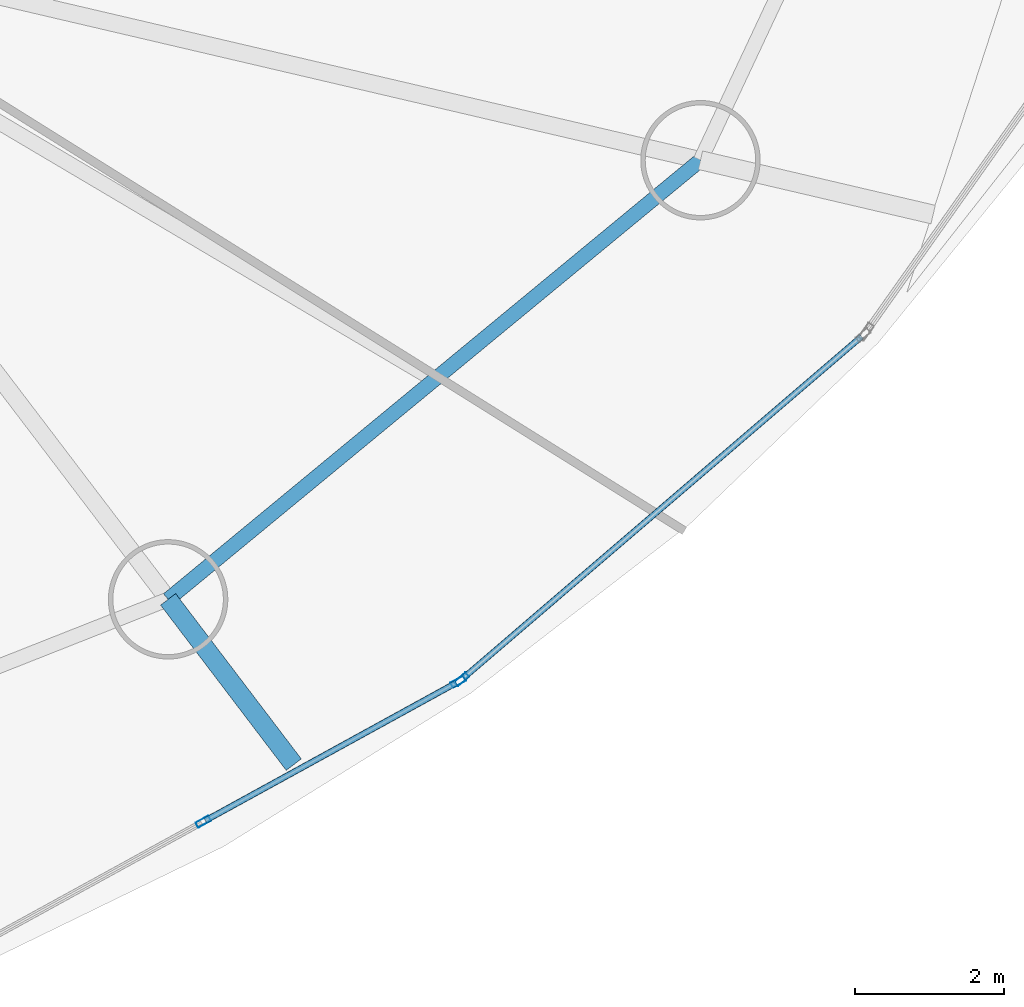
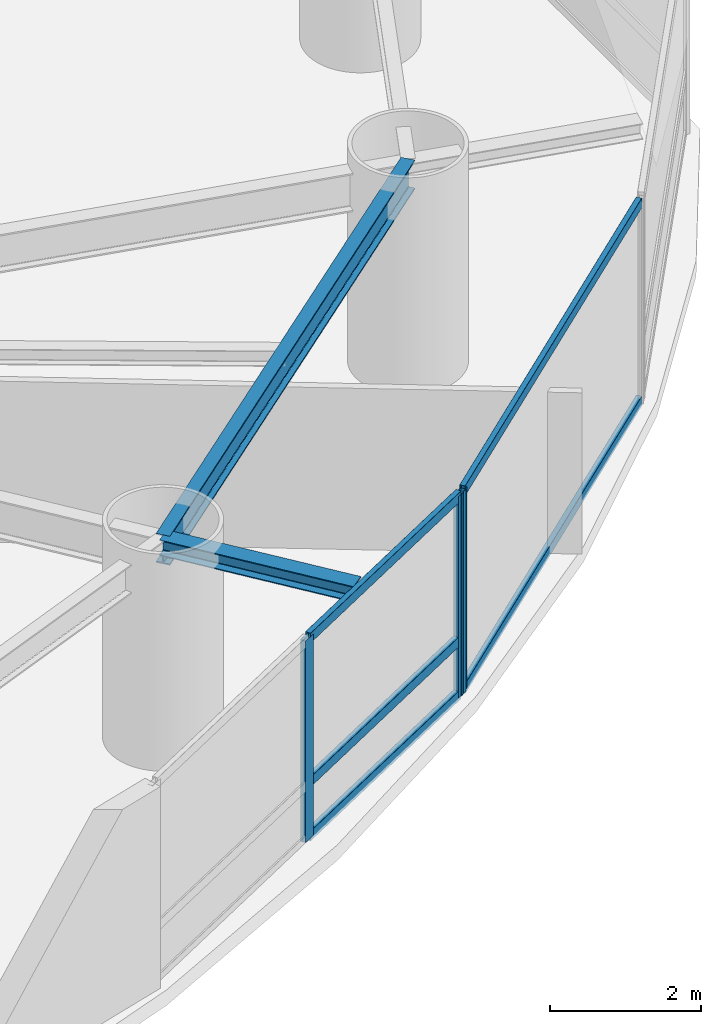
# One storey, part 6 of 25: 8 members, 2 beams, 2 elements without a shape of their own.
"""IFC4 building model written with IfcOpenShell, lengths in metres."""

import ifcopenshell
import ifcopenshell.guid

model = None  # the IFC model being written
_history = None  # IfcOwnerHistory: only IFC2X3 demands one
_inside = {}  # id of a spatial element -> (the spatial element, [elements in it])
_under = {}  # id of a project, library or spatial element -> (it, [spatial elements below it])
_declared = {}  # id of a project -> (the project, [libraries it declares])
_typed = {}  # id of a type object -> (the type object, [elements of that type])
_made_of = {}  # id of a material, layer set ... -> (it, [elements and type objects made of it])


def new_model(schema):
    """Start an empty IFC model of exactly this schema.

    Asked for "IFC4X3", IfcOpenShell would pick the latest addendum, in which some entities
    have other attributes; the version numbers below select the first issue.
    IFC2X3 requires an IfcOwnerHistory on every rooted entity: one is made here for all.
    """
    global model, _history
    if schema == "IFC4X3":
        model = ifcopenshell.file(schema_version=(4, 3, 0, 0))
    else:
        model = ifcopenshell.file(schema=schema)
    _inside.clear()
    _under.clear()
    _declared.clear()
    _typed.clear()
    _made_of.clear()
    _history = None
    if model.schema == "IFC2X3":
        org = make("IfcOrganization", Name="unknown")
        user = make(
            "IfcPersonAndOrganization",
            ThePerson=make("IfcPerson", FamilyName="unknown"),
            TheOrganization=org,
        )
        app = make(
            "IfcApplication",
            ApplicationDeveloper=org,
            Version="unknown",
            ApplicationFullName="unknown",
            ApplicationIdentifier="unknown",
        )
        _history = make(
            "IfcOwnerHistory",
            OwningUser=user,
            OwningApplication=app,
            ChangeAction="ADDED",
            CreationDate=0,
        )
    return model


def make(cls, **values):
    """One entity of the class cls with the attributes given. An attribute that is None is left unset."""
    return model.create_entity(
        cls, **{name: value for name, value in values.items() if value is not None}
    )


def rooted(cls, **values):
    """An entity with a GlobalId (a new one), such as an element, a storey or a relation."""
    return make(cls, GlobalId=ifcopenshell.guid.new(), OwnerHistory=_history, **values)


def si_unit(unit_type, name, prefix=None):
    """IfcSIUnit, for example si_unit("LENGTHUNIT", "METRE", prefix="MILLI")."""
    return make("IfcSIUnit", UnitType=unit_type, Prefix=prefix, Name=name)


def assignment(units):
    """IfcUnitAssignment: the units of a project."""
    return None if units is None else make("IfcUnitAssignment", Units=units)


def point(xyz):
    """IfcCartesianPoint."""
    return None if xyz is None else make("IfcCartesianPoint", Coordinates=xyz)


def direction(xyz):
    """IfcDirection."""
    return None if xyz is None else make("IfcDirection", DirectionRatios=xyz)


def frame(location, z_axis=None, x_axis=None):
    """IfcAxis2Placement3D, a coordinate frame: its origin and axes. An axis left out is left unset."""
    return make(
        "IfcAxis2Placement3D",
        Location=point(location),
        Axis=direction(z_axis),
        RefDirection=direction(x_axis),
    )


def frame_2d(location, x_axis=None):
    """IfcAxis2Placement2D, a coordinate frame in the plane: its origin and x axis."""
    return make(
        "IfcAxis2Placement2D", Location=point(location), RefDirection=direction(x_axis)
    )


def origin():
    """The frame at (0, 0, 0) with its axes left unset."""
    return frame((0.0, 0.0, 0.0))


def origin_2d():
    """The frame at (0, 0) in the plane with its x axis left unset."""
    return frame_2d((0.0, 0.0))


def place(relative_to, where):
    """IfcLocalPlacement: puts the frame where relative to a parent placement (None: the world)."""
    return make(
        "IfcLocalPlacement", PlacementRelTo=relative_to, RelativePlacement=where
    )


def context(
    kind, dimensions, precision=None, world=None, true_north=None, identifier=None
):
    """IfcGeometricRepresentationContext, for example the 3D "Model" context."""
    return make(
        "IfcGeometricRepresentationContext",
        ContextIdentifier=identifier,
        ContextType=kind,
        CoordinateSpaceDimension=dimensions,
        Precision=precision,
        WorldCoordinateSystem=world,
        TrueNorth=true_north,
    )


def subcontext(parent, identifier, kind, view, scale=None):
    """IfcGeometricRepresentationSubContext, for example "Body" below "Model"."""
    return make(
        "IfcGeometricRepresentationSubContext",
        ContextIdentifier=identifier,
        ContextType=kind,
        ParentContext=parent,
        TargetScale=scale,
        TargetView=view,
    )


def project(units=None, contexts=None):
    """IfcProject with its units and contexts."""
    return rooted(
        "IfcProject",
        Name="project",
        RepresentationContexts=contexts,
        UnitsInContext=assignment(units),
    )


def spatial(cls, under=None, at=None, **own):
    """A site, building, storey or space (cls), placed at a placement, below another one or the project."""
    s = rooted(cls, ObjectPlacement=at, **own)
    if under is not None:
        _under.setdefault(under.id(), (under, []))[1].append(s)
    return s


def profile(cls, at=None, kind="AREA", **sizes):
    """A parametric profile (cls). Its sizes go by their IFC names, for example OverallWidth=200.0."""
    return make(cls, ProfileType=kind, Position=at, **sizes)


def hollow_rectangle(**sizes):
    """IfcRectangleHollowProfileDef."""
    return profile("IfcRectangleHollowProfileDef", **sizes)


def i_section(**sizes):
    """IfcIShapeProfileDef."""
    return profile("IfcIShapeProfileDef", **sizes)


def extrude(swept, where, along, depth):
    """IfcExtrudedAreaSolid: the profile swept, set in the frame where, extruded along a direction by depth."""
    return make(
        "IfcExtrudedAreaSolid",
        SweptArea=swept,
        Position=where,
        ExtrudedDirection=direction(along),
        Depth=depth,
    )


def shape(context_of_items, identifier, shape_type, items):
    """IfcShapeRepresentation: the items that make up one representation, for example the "Body"."""
    return make(
        "IfcShapeRepresentation",
        ContextOfItems=context_of_items,
        RepresentationIdentifier=identifier,
        RepresentationType=shape_type,
        Items=items,
    )


def material(Name=None, Category=None):
    """IfcMaterial."""
    return make("IfcMaterial", Name=Name, Category=Category)


def layer(
    of_material, thickness, ventilated=None, Name=None, Category=None, Priority=None
):
    """IfcMaterialLayer: one layer of a wall or slab, of a material (None: an air gap)."""
    return make(
        "IfcMaterialLayer",
        Material=of_material,
        LayerThickness=thickness,
        IsVentilated=ventilated,
        Name=Name,
        Category=Category,
        Priority=Priority,
    )


def layer_set(layers, Name=None):
    """IfcMaterialLayerSet."""
    return make("IfcMaterialLayerSet", MaterialLayers=layers, LayerSetName=Name)


def material_profile(
    of_material, cross_section, Name=None, Category=None, Priority=None
):
    """IfcMaterialProfile: a cross section and its material."""
    return make(
        "IfcMaterialProfile",
        Name=Name,
        Material=of_material,
        Profile=cross_section,
        Priority=Priority,
        Category=Category,
    )


def profile_set(profiles, Name=None, composite=None):
    """IfcMaterialProfileSet."""
    return make(
        "IfcMaterialProfileSet",
        Name=Name,
        MaterialProfiles=profiles,
        CompositeProfile=composite,
    )


def made_of(thing, what):
    """Note that an element or type object is made of a material, layer set ...; save() writes the relation."""
    if what is not None:
        _made_of.setdefault(what.id(), (what, []))[1].append(thing)
    return thing


def type_object(cls, material=None, **own):
    """A type object (cls), such as IfcWallType, which elements share."""
    return made_of(rooted(cls, **own), material)


def element(
    cls,
    number,
    at=None,
    inside=None,
    cuts=None,
    type_object=None,
    material=None,
    context=None,
    identifier="Body",
    shape_type=None,
    held_by="IfcProductDefinitionShape",
    body=None,
    shapes=None,
    **own,
):
    """One element of the class cls, such as IfcWall. Its Tag is "e" and its number.

    at: its placement. inside: the storey or other place that contains it. cuts: it is an
    opening in that element (IfcRelVoidsElement). A single representation is given by context,
    identifier, shape_type and body (its items); several are given by shapes. held_by: the class
    of the entity that holds the representations. save() writes the other relations.
    """
    e = rooted(cls, Tag="e%d" % number, ObjectPlacement=at, **own)
    if body is not None:
        shapes = [shape(context, identifier, shape_type, body)]
    if shapes is not None:
        e.Representation = make(held_by, Representations=shapes)
    if inside is not None:
        _inside.setdefault(inside.id(), (inside, []))[1].append(e)
    if cuts is not None:
        rooted(
            "IfcRelVoidsElement", RelatingBuildingElement=cuts, RelatedOpeningElement=e
        )
    if type_object is not None:
        _typed.setdefault(type_object.id(), (type_object, []))[1].append(e)
    return made_of(e, material)


def aggregate(whole, parts):
    """IfcRelAggregates: a whole, such as a stair, and the parts it consists of."""
    return rooted("IfcRelAggregates", RelatingObject=whole, RelatedObjects=parts)


def save(model, path):
    """Write the relations noted so far, then the file.

    IfcRelAggregates (storeys below a building ...), IfcRelContainedInSpatialStructure (elements
    in a storey), IfcRelDefinesByType, IfcRelAssociatesMaterial and IfcRelDeclares: one each for
    every whole, place, type object, material and project.
    """
    for whole, parts in _under.values():
        aggregate(whole, parts)
    for where, things in _inside.values():
        rooted(
            "IfcRelContainedInSpatialStructure",
            RelatedElements=things,
            RelatingStructure=where,
        )
    for kind, things in _typed.values():
        rooted("IfcRelDefinesByType", RelatedObjects=things, RelatingType=kind)
    for what, things in _made_of.values():
        rooted("IfcRelAssociatesMaterial", RelatedObjects=things, RelatingMaterial=what)
    for by, libraries in _declared.values():
        rooted("IfcRelDeclares", RelatingContext=by, RelatedDefinitions=libraries)
    model.write(path)


model = new_model("IFC4")

# Units and contexts
model_context = context("Model", 3, precision=1e-05, world=origin(), true_north=direction((0.0, 1.0)))
body_context = subcontext(model_context, "Body", "Model", "MODEL_VIEW")
ifc_project = project(units=[si_unit("LENGTHUNIT", "METRE"), si_unit("AREAUNIT", "SQUARE_METRE"), si_unit("VOLUMEUNIT", "CUBIC_METRE"), si_unit("PLANEANGLEUNIT", "RADIAN"), si_unit("MASSUNIT", "GRAM", prefix="KILO")], contexts=[model_context])

# Site, building, storey
site_placement = place(None, origin())
site = spatial("IfcSite", under=ifc_project, at=site_placement, CompositionType="ELEMENT")
building_placement = place(site_placement, origin())
building = spatial("IfcBuilding", under=site, at=building_placement, Name="Bramvorn Convention Spire", CompositionType="ELEMENT")
storey_placement = place(building_placement, frame((0.0, 0.0, 55.39990234375)))
storey = spatial("IfcBuildingStorey", under=building, at=storey_placement, Name="L11", CompositionType="ELEMENT", Elevation=55.39990234375)

# Beams
ifc_material_1 = material(Name="Steel CSA G40.21 Grade 350 (350W)", Category="steel")
ifc_material_profile_1 = material_profile(ifc_material_1, i_section(OverallWidth=0.25390625, OverallDepth=0.2529296875, WebThickness=0.008544921875, FlangeThickness=0.01416015625, FilletRadius=0.011962890625, at=origin_2d()))
ifc_profile_set_1 = profile_set([ifc_material_profile_1], Name="Steel CSA G40.21 Grade 350 (350W) - W250X73")
beam_type_1 = type_object("IfcBeamType", Name="BM-W250X73", PredefinedType="BEAM", material=ifc_profile_set_1)
beam_1_placement = place(storey_placement, frame((56.227783203125, 9.371337890625, 3.12353515625), z_axis=(0.605170066762, -0.796096219244, 0.0), x_axis=(0.796096219244, 0.605170066762, 0.0)))
element("IfcBeam", 1, at=beam_1_placement, inside=storey, type_object=beam_type_1, Name="L11 slab-edge cantilever tip beam MC15", PredefinedType="BEAM", context=body_context, shape_type="SweptSolid", body=[
    extrude(i_section(OverallWidth=0.25390625, OverallDepth=0.2529296875, WebThickness=0.008544921875, FlangeThickness=0.01416015625, FilletRadius=0.011962890625, at=origin_2d()), origin(), (0.0, 0.0, 1.0), 2.78125),
])
ifc_material_profile_2 = material_profile(ifc_material_1, i_section(OverallWidth=0.194091796875, OverallDepth=0.468994140625, WebThickness=0.0126953125, FlangeThickness=0.0205078125, FilletRadius=0.01806640625, at=origin_2d()))
ifc_profile_set_2 = profile_set([ifc_material_profile_2], Name="Steel CSA G40.21 Grade 350 (350W) - W460X106")
beam_type_2 = type_object("IfcBeamType", Name="BM-W460X106", PredefinedType="SPANDREL", material=ifc_profile_set_2)
beam_2_placement = place(storey_placement, frame((56.227783203125, 9.371337890625, 3.015625), z_axis=(0.771417680101, 0.636329130896, 0.0), x_axis=(-0.636329130896, 0.771417680101, 0.0)))
element("IfcBeam", 2, at=beam_2_placement, inside=storey, type_object=beam_type_2, Name="L11 mega-column ring beam 15", PredefinedType="SPANDREL", context=body_context, shape_type="SweptSolid", body=[
    extrude(i_section(OverallWidth=0.194091796875, OverallDepth=0.468994140625, WebThickness=0.0126953125, FlangeThickness=0.0205078125, FilletRadius=0.01806640625, at=origin_2d()), origin(), (0.0, 0.0, 1.0), 9.244140625),
])

# Curtain wall, members
ifc_material_2 = material(Name="Anodised Bronze Unitised Curtain Wall", Category="aluminium")
ifc_layer = layer(ifc_material_2, 0.179931640625)
ifc_layer_set = layer_set([ifc_layer], Name="Anodised Bronze Unitised Curtain Wall - CW-HTL-FRIT")
curtain_wall_type = type_object("IfcCurtainWallType", Name="CW-HTL-FRIT", PredefinedType="USERDEFINED", material=ifc_layer_set)
curtain_wall_1_placement = place(storey_placement, origin())
curtain_wall_1 = element("IfcCurtainWall", 3, at=curtain_wall_1_placement, inside=storey, type_object=curtain_wall_type, Name="L11 fritted glass curtain wall 21", ObjectType="UNITISED CURTAIN WALL", PredefinedType="USERDEFINED")
ifc_material_3 = material(Name="Anodised Bronze Aluminium 6063-T6", Category="aluminium")
ifc_material_profile_3 = material_profile(ifc_material_3, hollow_rectangle(XDim=0.080078125, YDim=0.199951171875, WallThickness=0.00390625, InnerFilletRadius=0.0009765625, OuterFilletRadius=0.00390625, at=origin_2d()))
ifc_profile_set_3 = profile_set([ifc_material_profile_3], Name="Anodised Bronze Aluminium 6063-T6 - CWM80X200")
member_type_1 = type_object("IfcMemberType", Name="CW-MUL-180", PredefinedType="MULLION", material=ifc_profile_set_3)
member_1_placement = place(storey_placement, frame((60.11279296875, 8.266357421875, 0.0), z_axis=(0.0, 0.0, 1.0), x_axis=(0.481254586999, -0.87658087048, 0.0)))
member_1 = element("IfcMember", 4, at=member_1_placement, type_object=member_type_1, Name="CW2 mullion 1", PredefinedType="MULLION", context=body_context, shape_type="SweptSolid", body=[
    extrude(hollow_rectangle(XDim=0.080078125, YDim=0.199951171875, WallThickness=0.00390625, InnerFilletRadius=0.0009765625, OuterFilletRadius=0.00390625, at=origin_2d()), origin(), (0.0, 0.0, 1.0), 3.25),
])
member_2_placement = place(storey_placement, frame((56.700927734375, 6.39306640625, 0.0), z_axis=(0.0, 0.0, 1.0), x_axis=(0.481254586999, -0.87658087048, 0.0)))
member_2 = element("IfcMember", 5, at=member_2_placement, type_object=member_type_1, Name="CW2 mullion 2", PredefinedType="MULLION", context=body_context, shape_type="SweptSolid", body=[
    extrude(hollow_rectangle(XDim=0.080078125, YDim=0.199951171875, WallThickness=0.00390625, InnerFilletRadius=0.0009765625, OuterFilletRadius=0.00390625, at=origin_2d()), origin(), (0.0, 0.0, 1.0), 3.25),
])

# Curtain wall, member
curtain_wall_2_placement = place(storey_placement, origin())
curtain_wall_2 = element("IfcCurtainWall", 6, at=curtain_wall_2_placement, inside=storey, type_object=curtain_wall_type, Name="L11 fritted glass curtain wall 22", ObjectType="UNITISED CURTAIN WALL", PredefinedType="USERDEFINED")
member_3_placement = place(storey_placement, frame((60.161865234375, 8.30029296875, 0.0), z_axis=(0.0, 0.0, 1.0), x_axis=(0.650945854546, -0.759124162736, 0.0)))
member_3 = element("IfcMember", 7, at=member_3_placement, type_object=member_type_1, Name="CW2 mullion 2", PredefinedType="MULLION", context=body_context, shape_type="SweptSolid", body=[
    extrude(hollow_rectangle(XDim=0.080078125, YDim=0.199951171875, WallThickness=0.00390625, InnerFilletRadius=0.0009765625, OuterFilletRadius=0.00390625, at=origin_2d()), origin(), (0.0, 0.0, 1.0), 3.25),
])

# Member
ifc_material_profile_4 = material_profile(ifc_material_3, hollow_rectangle(XDim=0.080078125, YDim=0.159912109375, WallThickness=0.00390625, InnerFilletRadius=0.0009765625, OuterFilletRadius=0.00390625, at=origin_2d()))
ifc_profile_set_4 = profile_set([ifc_material_profile_4], Name="Anodised Bronze Aluminium 6063-T6 - CWT80X160")
member_type_2 = type_object("IfcMemberType", Name="CW-TRN-150", PredefinedType="USERDEFINED", material=ifc_profile_set_4)
member_4_placement = place(storey_placement, frame((60.086669921875, 8.251953125, 0.030029296875), z_axis=(-0.876580131521, -0.481255932973, 0.0), x_axis=(0.481255932973, -0.876580131521, 0.0)))
member_4 = element("IfcMember", 8, at=member_4_placement, type_object=member_type_2, Name="CW2 transom 1.1", ObjectType="TRANSOM", PredefinedType="USERDEFINED", context=body_context, shape_type="SweptSolid", body=[
    extrude(hollow_rectangle(XDim=0.080078125, YDim=0.159912109375, WallThickness=0.00390625, InnerFilletRadius=0.0009765625, OuterFilletRadius=0.00390625, at=origin_2d()), origin(), (0.0, 0.0, 1.0), 3.832763671875),
])

member_5_placement = place(storey_placement, frame((60.086669921875, 8.251953125, 0.900146484375), z_axis=(-0.876580131521, -0.481255932973, 0.0), x_axis=(0.481255932973, -0.876580131521, 0.0)))
member_5 = element("IfcMember", 9, at=member_5_placement, type_object=member_type_2, Name="CW2 transom 1.2", ObjectType="TRANSOM", PredefinedType="USERDEFINED", context=body_context, shape_type="SweptSolid", body=[
    extrude(hollow_rectangle(XDim=0.080078125, YDim=0.159912109375, WallThickness=0.00390625, InnerFilletRadius=0.0009765625, OuterFilletRadius=0.00390625, at=origin_2d()), origin(), (0.0, 0.0, 1.0), 3.832763671875),
])

member_6_placement = place(storey_placement, frame((60.086669921875, 8.251953125, 3.22021484375), z_axis=(-0.876580131521, -0.481255932973, 0.0), x_axis=(0.481255932973, -0.876580131521, 0.0)))
member_6 = element("IfcMember", 10, at=member_6_placement, type_object=member_type_2, Name="CW2 transom 1.3", ObjectType="TRANSOM", PredefinedType="USERDEFINED", context=body_context, shape_type="SweptSolid", body=[
    extrude(hollow_rectangle(XDim=0.080078125, YDim=0.159912109375, WallThickness=0.00390625, InnerFilletRadius=0.0009765625, OuterFilletRadius=0.00390625, at=origin_2d()), origin(), (0.0, 0.0, 1.0), 3.832763671875),
])

aggregate(curtain_wall_1, [member_1, member_2, member_4, member_5, member_6])

member_7_placement = place(storey_placement, frame((65.515869140625, 12.891357421875, 0.030029296875), z_axis=(-0.759111800769, -0.650960270626, 0.0), x_axis=(0.650960270626, -0.759111800769, 0.0)))
member_7 = element("IfcMember", 11, at=member_7_placement, type_object=member_type_2, Name="CW2 transom 1.1", ObjectType="TRANSOM", PredefinedType="USERDEFINED", context=body_context, shape_type="SweptSolid", body=[
    extrude(hollow_rectangle(XDim=0.080078125, YDim=0.159912109375, WallThickness=0.00390625, InnerFilletRadius=0.0009765625, OuterFilletRadius=0.00390625, at=origin_2d()), origin(), (0.0, 0.0, 1.0), 7.022705078125),
])

member_8_placement = place(storey_placement, frame((65.515869140625, 12.891357421875, 3.22021484375), z_axis=(-0.759111800769, -0.650960270626, 0.0), x_axis=(0.650960270626, -0.759111800769, 0.0)))
member_8 = element("IfcMember", 12, at=member_8_placement, type_object=member_type_2, Name="CW2 transom 1.2", ObjectType="TRANSOM", PredefinedType="USERDEFINED", context=body_context, shape_type="SweptSolid", body=[
    extrude(hollow_rectangle(XDim=0.080078125, YDim=0.159912109375, WallThickness=0.00390625, InnerFilletRadius=0.0009765625, OuterFilletRadius=0.00390625, at=origin_2d()), origin(), (0.0, 0.0, 1.0), 7.022705078125),
])

aggregate(curtain_wall_2, [member_3, member_7, member_8])

save(model, "model.ifc")
